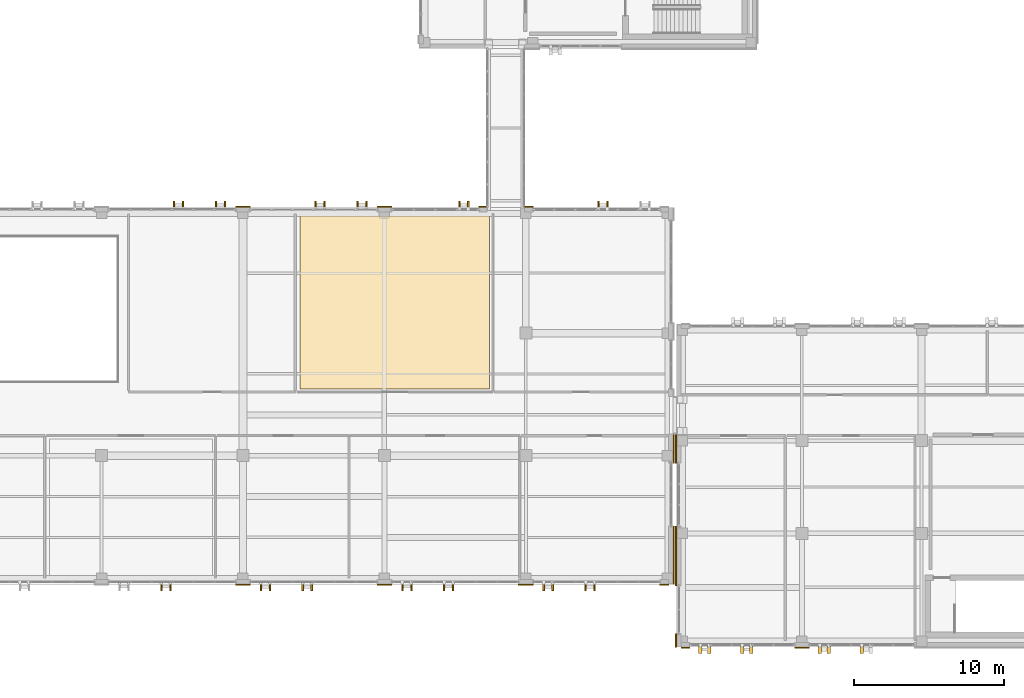
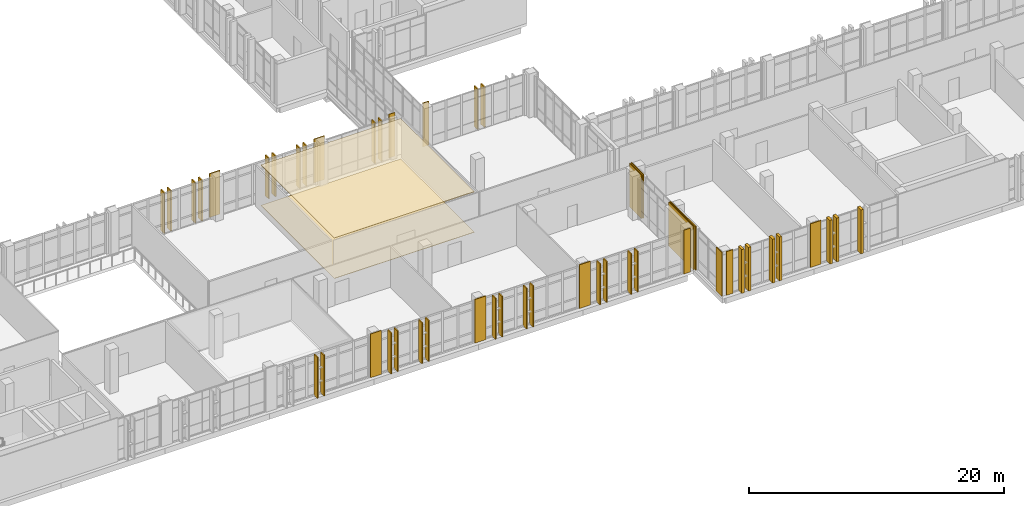
# One storey, part 178 of 193: 26 shading devices, 24 coverings.
"""IFC4 building model written with IfcOpenShell, lengths in metres."""

from ifc_helpers import new_model, si_unit, direction, frame, origin, origin_2d, place, context, subcontext, project, spatial, polyline, rectangle, outline, extrude, material, layer, layer_set, type_object, element, save


model = new_model("IFC4")

# Units and contexts
model_context = context("Model", 3, precision=1e-05, world=origin(), true_north=direction((0.0, 1.0)))
body_context = subcontext(model_context, "Body", "Model", "MODEL_VIEW")
ifc_project = project(units=[si_unit("LENGTHUNIT", "METRE"), si_unit("AREAUNIT", "SQUARE_METRE"), si_unit("VOLUMEUNIT", "CUBIC_METRE"), si_unit("PLANEANGLEUNIT", "RADIAN"), si_unit("MASSUNIT", "GRAM", prefix="KILO")], contexts=[model_context])

# Site, building, storey
site_placement = place(None, origin())
site = spatial("IfcSite", under=ifc_project, at=site_placement, CompositionType="ELEMENT")
building_placement = place(site_placement, origin())
building = spatial("IfcBuilding", under=site, at=building_placement, Name="Qalavern Law Courts", CompositionType="ELEMENT")
storey_placement = place(building_placement, frame((0.0, 0.0, 10.199951171875)))
storey = spatial("IfcBuildingStorey", under=building, at=storey_placement, Name="L02", CompositionType="ELEMENT", Elevation=10.199951171875)

# Coverings
ifc_material_1 = material(Name="Precast concrete C40/50", Category="concrete")
ifc_layer_1 = layer(ifc_material_1, 0.22998046875)
ifc_layer_set_1 = layer_set([ifc_layer_1], Name="Precast concrete C40/50")
covering_type_1 = type_object("IfcCoveringType", Name="ENV-BLD-2", PredefinedType="CLADDING", material=ifc_layer_set_1)
for number, where, z_axis, x_axis, name in (
    (1, (103.02001953125, 0.844970703125, 0.005126953125), (0.0, 0.0, 1.0), (0.0, -1.0, 0.0), "Absheron stone facade blade 1257"),
    (2, (103.6201171875, 0.844970703125, 0.005126953125), (0.0, 0.0, 1.0), (0.0, -1.0, 0.0), "Absheron stone facade blade 1258"),
    (3, (105.820068359375, 0.844970703125, 0.005126953125), (0.0, 0.0, 1.0), (0.0, -1.0, 0.0), "Absheron stone facade blade 1259"),
    (4, (106.419921875, 0.844970703125, 0.005126953125), (0.0, 0.0, 1.0), (0.0, -1.0, 0.0), "Absheron stone facade blade 1260"),
    (5, (111.0, 0.844970703125, 0.005126953125), (0.0, 0.0, 1.0), (0.0, -1.0, 0.0), "Absheron stone facade blade 1261"),
    (6, (111.60009765625, 0.844970703125, 0.005126953125), (0.0, 0.0, 1.0), (0.0, -1.0, 0.0), "Absheron stone facade blade 1262"),
    (7, (113.800048828125, 0.844970703125, 0.005126953125), (0.0, 0.0, 1.0), (0.0, -1.0, 0.0), "Absheron stone facade blade 1263"),
):
    element("IfcCovering", number, at=place(storey_placement, frame(where, z_axis=z_axis, x_axis=x_axis)), inside=storey, type_object=covering_type_1, Name=name, PredefinedType="CLADDING", context=body_context, shape_type="SweptSolid", body=[
        extrude(rectangle(XDim=0.5400390625, YDim=0.22998046875, at=origin_2d()), origin(), (0.0, 0.0, 1.0), 4.18994140625),
    ])
ifc_layer_2 = layer(ifc_material_1, 0.072021484375)
ifc_layer_set_2 = layer_set([ifc_layer_2], Name="Precast concrete C40/50")
covering_type_2 = type_object("IfcCoveringType", Name="ENV-CLD-2", PredefinedType="CLADDING", material=ifc_layer_set_2)
for number, where, z_axis, x_axis, name in (
    (8, (72.43701171875, 5.1669921875, 0.01025390625), (0.0, 0.0, 1.0), (1.0, 0.0, 0.0), "V2 Absheron limestone pier facing L02 south 4"),
    (9, (81.891357421875, 5.1669921875, 0.01025390625), (0.0, 0.0, 1.0), (1.0, 0.0, 0.0), "V2 Absheron limestone pier facing L02 south 5"),
    (10, (91.345703125, 5.1669921875, 0.01025390625), (0.0, 0.0, 1.0), (1.0, 0.0, 0.0), "V2 Absheron limestone pier facing L02 south 6"),
):
    element("IfcCovering", number, at=place(storey_placement, frame(where, z_axis=z_axis, x_axis=x_axis)), inside=storey, type_object=covering_type_2, Name=name, PredefinedType="CLADDING", context=body_context, shape_type="SweptSolid", body=[
        extrude(rectangle(XDim=0.97998046875, YDim=0.072021484375, at=origin_2d()), origin(), (0.0, 0.0, 1.0), 4.179931640625),
    ])
covering_1_placement = place(storey_placement, frame((100.597412109375, 5.1669921875, 0.01025390625), z_axis=(0.0, 0.0, 1.0), x_axis=(1.0, 0.0, 0.0)))
element("IfcCovering", 11, at=covering_1_placement, inside=storey, type_object=covering_type_2, Name="V2 Absheron limestone pier facing L02 south 7", PredefinedType="CLADDING", context=body_context, shape_type="SweptSolid", body=[
    extrude(rectangle(XDim=0.574951171875, YDim=0.072021484375, at=origin_2d()), origin(), (0.0, 0.0, 1.0), 4.179931640625),
])
covering_2_placement = place(storey_placement, frame((101.23291015625, 7.14990234375, 0.01025390625), z_axis=(0.0, 0.0, 1.0), x_axis=(0.0, 1.0, 0.0)))
element("IfcCovering", 12, at=covering_2_placement, inside=storey, type_object=covering_type_2, Name="V2 Absheron limestone pier facing L02 east 1", PredefinedType="CLADDING", context=body_context, shape_type="SweptSolid", body=[
    extrude(rectangle(XDim=3.8798828125, YDim=0.072021484375, at=origin_2d()), origin(), (0.0, 0.0, 1.0), 4.179931640625),
])
covering_3_placement = place(storey_placement, frame((101.23291015625, 14.27490234375, 0.01025390625), z_axis=(0.0, 0.0, 1.0), x_axis=(0.0, 1.0, 0.0)))
element("IfcCovering", 13, at=covering_3_placement, inside=storey, type_object=covering_type_2, Name="V2 Absheron limestone pier facing L02 east 2", PredefinedType="CLADDING", context=body_context, shape_type="SweptSolid", body=[
    extrude(rectangle(XDim=1.929931640625, YDim=0.072021484375, at=origin_2d()), origin(), (0.0, 0.0, 1.0), 4.179931640625),
])
covering_4_placement = place(storey_placement, frame((91.5478515625, 30.43310546875, 0.01025390625), z_axis=(0.0, 0.0, 1.0), x_axis=(-1.0, 0.0, 0.0)))
element("IfcCovering", 14, at=covering_4_placement, inside=storey, type_object=covering_type_2, Name="V2 Absheron limestone pier facing L02 north 2", PredefinedType="CLADDING", context=body_context, shape_type="SweptSolid", body=[
    extrude(rectangle(XDim=0.57568359375, YDim=0.072021484375, at=origin_2d()), origin(), (0.0, 0.0, 1.0), 4.179931640625),
])
covering_5_placement = place(storey_placement, frame((88.47509765625, 30.43310546875, 0.01025390625), z_axis=(0.0, 0.0, 1.0), x_axis=(-1.0, 0.0, 0.0)))
element("IfcCovering", 15, at=covering_5_placement, inside=storey, type_object=covering_type_2, Name="V2 Absheron limestone pier facing L02 north 1", PredefinedType="CLADDING", context=body_context, shape_type="SweptSolid", body=[
    extrude(rectangle(XDim=0.530029296875, YDim=0.072021484375, at=origin_2d()), origin(), (0.0, 0.0, 1.0), 4.179931640625),
])
for number, where, z_axis, x_axis, name in (
    (16, (81.891357421875, 30.43310546875, 0.01025390625), (0.0, 0.0, 1.0), (-1.0, 0.0, 0.0), "V2 Absheron limestone pier facing L02 north 2"),
    (17, (72.43701171875, 30.43310546875, 0.01025390625), (0.0, 0.0, 1.0), (-1.0, 0.0, 0.0), "V2 Absheron limestone pier facing L02 north 3"),
):
    element("IfcCovering", number, at=place(storey_placement, frame(where, z_axis=z_axis, x_axis=x_axis)), inside=storey, type_object=covering_type_2, Name=name, PredefinedType="CLADDING", context=body_context, shape_type="SweptSolid", body=[
        extrude(rectangle(XDim=0.97998046875, YDim=0.072021484375, at=origin_2d()), origin(), (0.0, 0.0, 1.0), 4.179931640625),
    ])
covering_6_placement = place(storey_placement, frame((102.0224609375, 0.967041015625, 0.01025390625), z_axis=(0.0, 0.0, 1.0), x_axis=(1.0, 0.0, 0.0)))
element("IfcCovering", 18, at=covering_6_placement, inside=storey, type_object=covering_type_2, Name="V6 Absheron limestone pier facing L02 south 1", PredefinedType="CLADDING", context=body_context, shape_type="SweptSolid", body=[
    extrude(rectangle(XDim=0.574951171875, YDim=0.072021484375, at=origin_2d()), origin(), (0.0, 0.0, 1.0), 4.179931640625),
])
covering_7_placement = place(storey_placement, frame((109.800048828125, 0.967041015625, 0.01025390625), z_axis=(0.0, 0.0, 1.0), x_axis=(1.0, 0.0, 0.0)))
element("IfcCovering", 19, at=covering_7_placement, inside=storey, type_object=covering_type_2, Name="V6 Absheron limestone pier facing L02 south 2", PredefinedType="CLADDING", context=body_context, shape_type="SweptSolid", body=[
    extrude(rectangle(XDim=0.97998046875, YDim=0.072021484375, at=origin_2d()), origin(), (0.0, 0.0, 1.0), 4.179931640625),
])
covering_8_placement = place(storey_placement, frame((101.386962890625, 14.27490234375, 0.01025390625), z_axis=(0.0, 0.0, 1.0), x_axis=(0.0, -1.0, 0.0)))
element("IfcCovering", 20, at=covering_8_placement, inside=storey, type_object=covering_type_2, Name="V6 Absheron limestone pier facing L02 west 1", PredefinedType="CLADDING", context=body_context, shape_type="SweptSolid", body=[
    extrude(rectangle(XDim=1.929931640625, YDim=0.072021484375, at=origin_2d()), origin(), (0.0, 0.0, 1.0), 4.179931640625),
])
covering_9_placement = place(storey_placement, frame((101.386962890625, 7.10009765625, 0.01025390625), z_axis=(0.0, 0.0, 1.0), x_axis=(0.0, -1.0, 0.0)))
element("IfcCovering", 21, at=covering_9_placement, inside=storey, type_object=covering_type_2, Name="V6 Absheron limestone pier facing L02 west 2", PredefinedType="CLADDING", context=body_context, shape_type="SweptSolid", body=[
    extrude(rectangle(XDim=3.97998046875, YDim=0.072021484375, at=origin_2d()), origin(), (0.0, 0.0, 1.0), 4.179931640625),
])
covering_10_placement = place(storey_placement, frame((101.386962890625, 1.449951171875, 0.01025390625), z_axis=(0.0, 0.0, 1.0), x_axis=(0.0, -1.0, 0.0)))
element("IfcCovering", 22, at=covering_10_placement, inside=storey, type_object=covering_type_2, Name="V6 Absheron limestone pier facing L02 west 3", PredefinedType="CLADDING", context=body_context, shape_type="SweptSolid", body=[
    extrude(rectangle(XDim=0.8798828125, YDim=0.072021484375, at=origin_2d()), origin(), (0.0, 0.0, 1.0), 4.179931640625),
])

# Shading devices
shading_device_type = type_object("IfcShadingDeviceType", Name="ENV-FIN-2", PredefinedType="USERDEFINED", material=ifc_material_1)
for number, where, z_axis, x_axis, name in (
    (23, (66.98291015625, 5.044921875, 0.010009765625), (0.0, 0.0, 1.0), (0.0, -1.0, 0.0), "Hall solar shading fin 0057"),
    (24, (67.5830078125, 5.044921875, 0.010009765625), (0.0, 0.0, 1.0), (0.0, -1.0, 0.0), "Hall solar shading fin 0058"),
    (25, (73.63720703125, 5.044921875, 0.010009765625), (0.0, 0.0, 1.0), (0.0, -1.0, 0.0), "Hall solar shading fin 0059"),
    (26, (74.237060546875, 5.044921875, 0.010009765625), (0.0, 0.0, 1.0), (0.0, -1.0, 0.0), "Hall solar shading fin 0060"),
    (27, (76.43701171875, 5.044921875, 0.010009765625), (0.0, 0.0, 1.0), (0.0, -1.0, 0.0), "Hall solar shading fin 0061"),
    (28, (77.037109375, 5.044921875, 0.010009765625), (0.0, 0.0, 1.0), (0.0, -1.0, 0.0), "Hall solar shading fin 0062"),
    (29, (83.09130859375, 5.044921875, 0.010009765625), (0.0, 0.0, 1.0), (0.0, -1.0, 0.0), "Hall solar shading fin 0063"),
    (30, (83.69140625, 5.044921875, 0.010009765625), (0.0, 0.0, 1.0), (0.0, -1.0, 0.0), "Hall solar shading fin 0064"),
    (31, (85.891357421875, 5.044921875, 0.010009765625), (0.0, 0.0, 1.0), (0.0, -1.0, 0.0), "Hall solar shading fin 0065"),
    (32, (86.491455078125, 5.044921875, 0.010009765625), (0.0, 0.0, 1.0), (0.0, -1.0, 0.0), "Hall solar shading fin 0066"),
    (33, (92.545654296875, 5.044921875, 0.010009765625), (0.0, 0.0, 1.0), (0.0, -1.0, 0.0), "Hall solar shading fin 0067"),
    (34, (93.145751953125, 5.044921875, 0.010009765625), (0.0, 0.0, 1.0), (0.0, -1.0, 0.0), "Hall solar shading fin 0068"),
    (35, (95.345703125, 5.044921875, 0.010009765625), (0.0, 0.0, 1.0), (0.0, -1.0, 0.0), "Hall solar shading fin 0069"),
    (36, (95.94580078125, 5.044921875, 0.010009765625), (0.0, 0.0, 1.0), (0.0, -1.0, 0.0), "Hall solar shading fin 0070"),
    (37, (96.800048828125, 30.554931640625, 0.010009765625), (0.0, 0.0, 1.0), (0.0, 1.0, 0.0), "Hall solar shading fin 0073"),
    (38, (96.199951171875, 30.554931640625, 0.010009765625), (0.0, 0.0, 1.0), (0.0, 1.0, 0.0), "Hall solar shading fin 0074"),
    (39, (87.5, 30.554931640625, 0.010009765625), (0.0, 0.0, 1.0), (0.0, 1.0, 0.0), "Hall solar shading fin 0075"),
    (40, (86.89990234375, 30.554931640625, 0.010009765625), (0.0, 0.0, 1.0), (0.0, 1.0, 0.0), "Hall solar shading fin 0076"),
    (41, (80.69140625, 30.554931640625, 0.010009765625), (0.0, 0.0, 1.0), (0.0, 1.0, 0.0), "Hall solar shading fin 0077"),
    (42, (80.09130859375, 30.554931640625, 0.010009765625), (0.0, 0.0, 1.0), (0.0, 1.0, 0.0), "Hall solar shading fin 0078"),
    (43, (77.891357421875, 30.554931640625, 0.010009765625), (0.0, 0.0, 1.0), (0.0, 1.0, 0.0), "Hall solar shading fin 0079"),
    (44, (77.29150390625, 30.554931640625, 0.010009765625), (0.0, 0.0, 1.0), (0.0, 1.0, 0.0), "Hall solar shading fin 0080"),
    (45, (71.237060546875, 30.554931640625, 0.010009765625), (0.0, 0.0, 1.0), (0.0, 1.0, 0.0), "Hall solar shading fin 0081"),
    (46, (70.63720703125, 30.554931640625, 0.010009765625), (0.0, 0.0, 1.0), (0.0, 1.0, 0.0), "Hall solar shading fin 0082"),
    (47, (68.43701171875, 30.554931640625, 0.010009765625), (0.0, 0.0, 1.0), (0.0, 1.0, 0.0), "Hall solar shading fin 0083"),
    (48, (67.837158203125, 30.554931640625, 0.010009765625), (0.0, 0.0, 1.0), (0.0, 1.0, 0.0), "Hall solar shading fin 0084"),
):
    element("IfcShadingDevice", number, at=place(storey_placement, frame(where, z_axis=z_axis, x_axis=x_axis)), inside=storey, type_object=shading_device_type, Name=name, ObjectType="FIN", PredefinedType="USERDEFINED", context=body_context, shape_type="SweptSolid", body=[
        extrude(rectangle(XDim=0.5400390625, YDim=0.10498046875, at=origin_2d()), origin(), (0.0, 0.0, 1.0), 3.89501953125),
    ])

# Coverings
ifc_material_2 = material(Name="Slatted oak acoustic timber baffle ceiling", Category="wood")
ifc_layer_3 = layer(ifc_material_2, 0.055908203125)
ifc_layer_set_3 = layer_set([ifc_layer_3], Name="Slatted oak acoustic timber baffle ceiling")
covering_type_3 = type_object("IfcCoveringType", Name="INT-CEIL-3", PredefinedType="CEILING", material=ifc_layer_set_3)
covering_11_placement = place(storey_placement, frame((0.0, 0.0, 3.859130859375)))
element("IfcCovering", 49, at=covering_11_placement, inside=storey, type_object=covering_type_3, Name="Civil Trial Courtroom acoustic ceiling L02", PredefinedType="CEILING", context=body_context, shape_type="SweptSolid", body=[
    extrude(outline(polyline([(76.264892578125, 18.27001953125), (88.93310546875, 18.27001953125), (88.93310546875, 29.81005859375), (76.264892578125, 29.81005859375), (76.264892578125, 18.27001953125)])), origin(), (0.0, 0.0, 1.0), 0.055908203125),
])
ifc_material_3 = material(Name="Acoustic engineered oak courtroom flooring")
ifc_layer_4 = layer(ifc_material_3, 0.0380859375)
ifc_layer_set_4 = layer_set([ifc_layer_4], Name="Acoustic engineered oak courtroom flooring")
covering_type_4 = type_object("IfcCoveringType", Name="INT-FLR-3", PredefinedType="FLOORING", material=ifc_layer_set_4)
covering_12_placement = place(storey_placement, origin())
element("IfcCovering", 50, at=covering_12_placement, inside=storey, type_object=covering_type_4, Name="Civil Trial Courtroom finish flooring L02", PredefinedType="FLOORING", context=body_context, shape_type="SweptSolid", body=[
    extrude(outline(polyline([(76.264892578125, 18.27001953125), (88.93310546875, 18.27001953125), (88.93310546875, 29.81005859375), (76.264892578125, 29.81005859375), (76.264892578125, 18.27001953125)])), origin(), (0.0, 0.0, 1.0), 0.0380859375),
])

save(model, "model.ifc")
